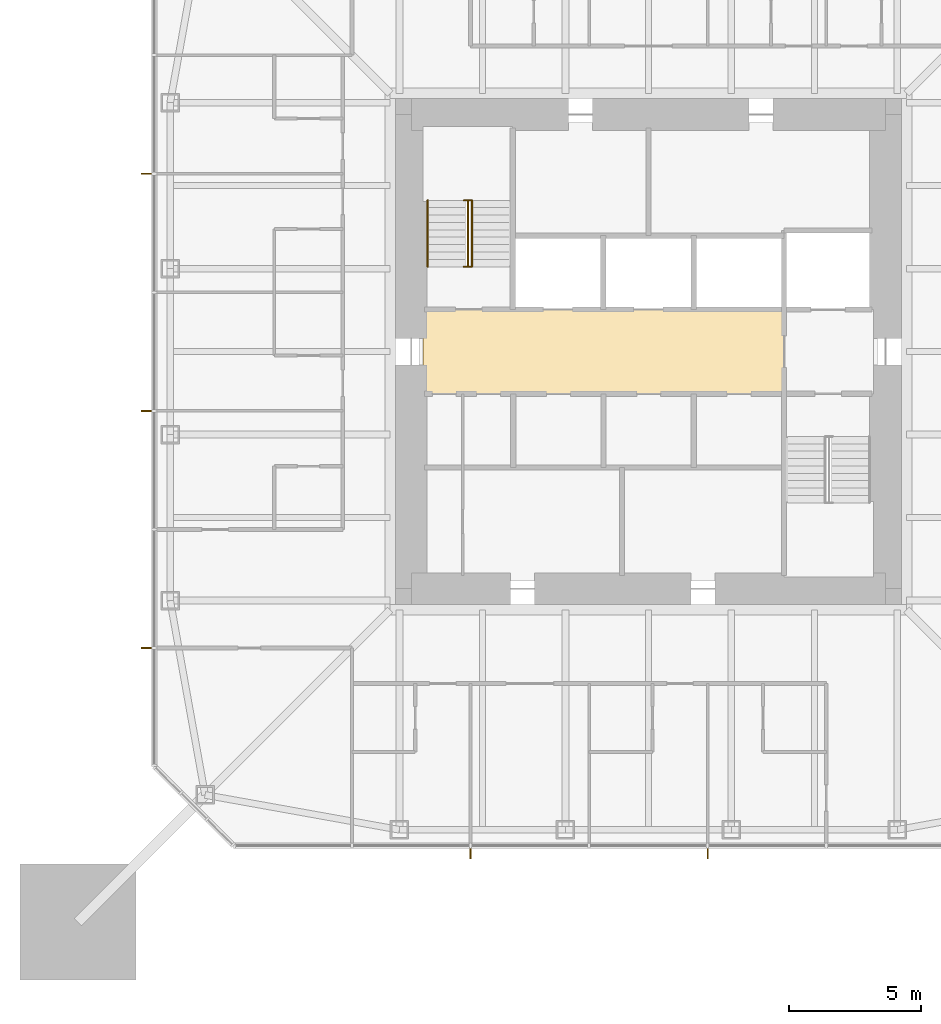
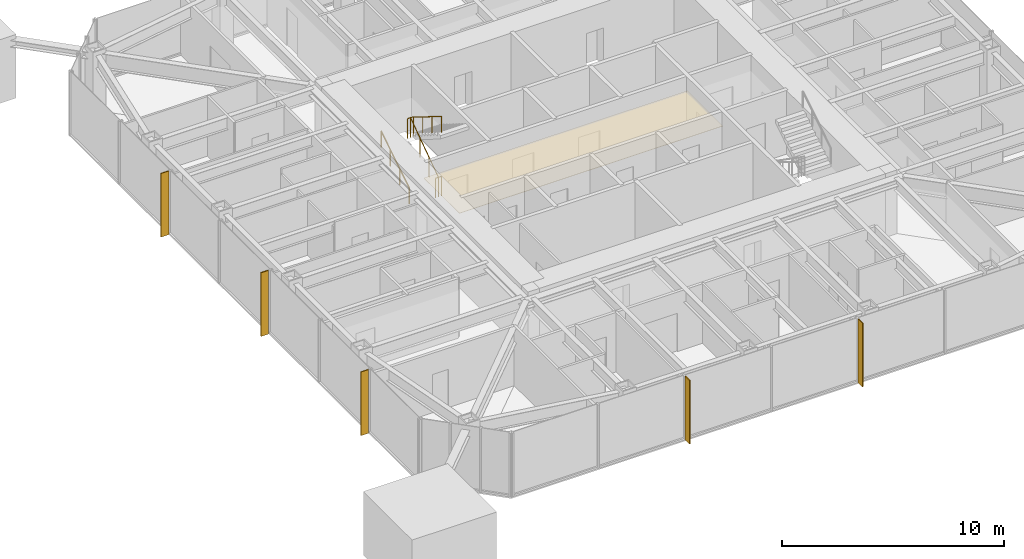
# One storey, part 10 of 12: 5 shading devices, 3 railings, 1 covering.
"""IFC4 building model written with IfcOpenShell, lengths in metres."""

from ifc_helpers import new_model, si_unit, direction, frame, origin, origin_2d, place, context, subcontext, project, spatial, polyline, rectangle, circle, outline, extrude, material, layer, layer_set, constituent, constituent_set, type_object, element, save


model = new_model("IFC4")

# Units and contexts
model_context = context("Model", 3, precision=1e-05, world=origin(), true_north=direction((0.0, 1.0)))
body_context = subcontext(model_context, "Body", "Model", "MODEL_VIEW")
ifc_project = project(units=[si_unit("LENGTHUNIT", "METRE"), si_unit("AREAUNIT", "SQUARE_METRE"), si_unit("VOLUMEUNIT", "CUBIC_METRE"), si_unit("PLANEANGLEUNIT", "RADIAN"), si_unit("MASSUNIT", "GRAM", prefix="KILO")], contexts=[model_context])

# Site, building, storey
site_placement = place(None, origin())
site = spatial("IfcSite", under=ifc_project, at=site_placement, CompositionType="ELEMENT")
building_placement = place(site_placement, origin())
building = spatial("IfcBuilding", under=site, at=building_placement, Name="Iwan Alto Co-Living Towers", CompositionType="ELEMENT")
storey_placement = place(building_placement, frame((0.0, 0.0, 153.0)))
storey = spatial("IfcBuildingStorey", under=building, at=storey_placement, Name="L41", CompositionType="ELEMENT", Elevation=153.0)

# Covering
ifc_material_1 = material(Name="Mineral fibre acoustic tiles on steel grid", Category="steel")
ifc_layer_1 = layer(ifc_material_1, 0.02001953125)
ifc_layer_set_1 = layer_set([ifc_layer_1], Name="ACOUSTIC TILE CEILING 20")
covering_type = type_object("IfcCoveringType", Name="ACOUSTIC TILE CEILING 20", PredefinedType="CEILING", material=ifc_layer_set_1)
covering_placement = place(storey_placement, frame((0.0, 0.0, 2.60009765625)))
element("IfcCovering", 1, at=covering_placement, inside=storey, type_object=covering_type, Name="Ceiling Lift lobby L41", PredefinedType="CEILING", context=body_context, shape_type="SweptSolid", body=[
    extrude(outline(polyline([(-8.550048828125, -1.60009765625), (-8.550048828125, 1.60009765625), (5.14990234375, 1.60009765625), (5.14990234375, -1.60009765625), (-8.550048828125, -1.60009765625)])), origin(), (0.0, 0.0, 1.0), 0.02001953125),
])

# Shading devices
ifc_material_2 = material(Name="Aluminium 6063-T6 bronze anodised", Category="aluminium")
ifc_layer_2 = layer(ifc_material_2, 0.050048828125)
ifc_layer_set_2 = layer_set([ifc_layer_2], Name="BRONZE FIN 50X400")
shading_device_type = type_object("IfcShadingDeviceType", Name="BRONZE FIN 50X400", PredefinedType="USERDEFINED", material=ifc_layer_set_2)
for number, where, z_axis, x_axis, name in (
    (2, (-6.75, -19.050048828125, 0.0), (0.0, 0.0, 1.0), (1.0, 0.0, 0.0), "Bronze fin L41"),
    (3, (2.25, -19.050048828125, 0.0), (0.0, 0.0, 1.0), (1.0, 0.0, 0.0), "Bronze fin L41"),
    (4, (-19.050048828125, 6.75, 0.0), (0.0, 0.0, 1.0), (0.0, -1.0, 0.0), "Bronze fin L41"),
    (5, (-19.050048828125, -2.25, 0.0), (0.0, 0.0, 1.0), (0.0, -1.0, 0.0), "Bronze fin L41"),
    (6, (-19.050048828125, -11.25, 0.0), (0.0, 0.0, 1.0), (0.0, -1.0, 0.0), "Bronze fin L41"),
):
    element("IfcShadingDevice", number, at=place(storey_placement, frame(where, z_axis=z_axis, x_axis=x_axis)), inside=storey, type_object=shading_device_type, Name=name, ObjectType="LOUVER", PredefinedType="USERDEFINED", context=body_context, shape_type="SweptSolid", body=[
        extrude(rectangle(XDim=0.050048828125, YDim=0.39990234375, at=origin_2d()), origin(), (0.0, 0.0, 1.0), 3.5),
    ])

# Railings
ifc_material_3 = material(Name="Steel ASTM A500 Gr C", Category="steel")
ifc_constituent_1 = constituent(ifc_material_3, Name="Rails and posts", Category="Framing")
ifc_material_4 = material(Name="Steel ASTM A36", Category="steel")
ifc_constituent_2 = constituent(ifc_material_4, Name="Bar infill", Category="Infill")
ifc_constituent_set = constituent_set(constituents=[ifc_constituent_1, ifc_constituent_2], Name="STAIR GUARD 1100")
railing_type_1 = type_object("IfcRailingType", Name="STAIR GUARD 1100", PredefinedType="GUARDRAIL", material=ifc_constituent_set)
railing_1_placement = place(storey_placement, frame((-6.85009765625, 3.219970703125, 0.0)))
element("IfcRailing", 7, at=railing_1_placement, inside=storey, type_object=railing_type_1, Name="Stair T1-S1 well guard L41", PredefinedType="GUARDRAIL", context=body_context, shape_type="SweptSolid", body=[
    extrude(circle(Radius=0.02392578125, at=origin_2d()), frame((0.0, 0.0, 1.076171875), z_axis=(0.0, 0.821372036852, 0.570392826987), x_axis=(-1.0, 0.0, 0.0)), (0.0, 0.0, 1.0), 3.068115234375),
    extrude(circle(Radius=0.02392578125, at=origin_2d()), frame((-0.14990234375, 0.0, 1.076171875), z_axis=(1.0, 0.0, 0.0), x_axis=(0.0, 1.0, 0.0)), (0.0, 0.0, 1.0), 0.300048828125),
    extrude(circle(Radius=0.02392578125, at=origin_2d()), frame((-0.14990234375, 2.52001953125, 2.826171875), z_axis=(1.0, 0.0, 0.0), x_axis=(0.0, 1.0, 0.0)), (0.0, 0.0, 1.0), 0.300048828125),
    extrude(circle(Radius=0.02099609375, at=origin_2d()), origin(), (0.0, 0.0, 1.0), 1.052001953125),
    extrude(circle(Radius=0.02099609375, at=origin_2d()), frame((0.0, 0.840087890625, 0.583251953125)), (0.0, 0.0, 1.0), 1.052001953125),
    extrude(circle(Radius=0.02099609375, at=origin_2d()), frame((0.0, 1.679931640625, 1.166748046875)), (0.0, 0.0, 1.0), 1.052001953125),
    extrude(circle(Radius=0.02099609375, at=origin_2d()), frame((0.0, 2.52001953125, 1.75)), (0.0, 0.0, 1.0), 1.052001953125),
    extrude(circle(Radius=0.02099609375, at=origin_2d()), frame((-0.14990234375, 0.0, 0.0)), (0.0, 0.0, 1.0), 1.052001953125),
    extrude(circle(Radius=0.02099609375, at=origin_2d()), frame((0.150146484375, 0.0, 0.0)), (0.0, 0.0, 1.0), 1.052001953125),
    extrude(circle(Radius=0.02099609375, at=origin_2d()), frame((-0.14990234375, 2.52001953125, 1.75)), (0.0, 0.0, 1.0), 1.052001953125),
    extrude(circle(Radius=0.02099609375, at=origin_2d()), frame((0.150146484375, 2.52001953125, 1.75)), (0.0, 0.0, 1.0), 1.052001953125),
])
ifc_material_5 = material(Name="Steel ASTM A500 Gr C", Category="steel")
railing_type_2 = type_object("IfcRailingType", Name="STAIR HANDRAIL 900", PredefinedType="HANDRAIL", material=ifc_material_5)
railing_2_placement = place(storey_placement, frame((-8.3798828125, 3.219970703125, 0.175048828125)))
element("IfcRailing", 8, at=railing_2_placement, inside=storey, type_object=railing_type_2, Name="Stair T1-S1 handrail 1 L41", PredefinedType="HANDRAIL", context=body_context, shape_type="SweptSolid", body=[
    extrude(circle(Radius=0.02392578125, at=origin_2d()), frame((0.0, 0.0, 0.8759765625), z_axis=(0.0, 0.848007534815, 0.529984170421), x_axis=(-1.0, 0.0, 0.0)), (0.0, 0.0, 1.0), 2.9716796875),
    extrude(circle(Radius=0.02099609375, at=origin_2d()), origin(), (0.0, 0.0, 1.0), 0.851806640625),
    extrude(circle(Radius=0.02099609375, at=origin_2d()), frame((0.0, 0.840087890625, 0.52490234375)), (0.0, 0.0, 1.0), 0.851806640625),
    extrude(circle(Radius=0.02099609375, at=origin_2d()), frame((0.0, 1.679931640625, 1.050048828125)), (0.0, 0.0, 1.0), 0.851806640625),
    extrude(circle(Radius=0.02099609375, at=origin_2d()), frame((0.0, 2.52001953125, 1.574951171875)), (0.0, 0.0, 1.0), 0.851806640625),
])
railing_3_placement = place(storey_placement, frame((-6.699951171875, 5.739990234375, 1.925048828125)))
element("IfcRailing", 9, at=railing_3_placement, inside=storey, type_object=railing_type_2, Name="Stair T1-S1 handrail 2 L41", PredefinedType="HANDRAIL", context=body_context, shape_type="SweptSolid", body=[
    extrude(circle(Radius=0.02392578125, at=origin_2d()), frame((0.0, 0.0, 0.8759765625), z_axis=(0.0, -0.848007534815, 0.529984170421), x_axis=(1.0, 0.0, 0.0)), (0.0, 0.0, 1.0), 2.9716796875),
    extrude(circle(Radius=0.02099609375, at=origin_2d()), origin(), (0.0, 0.0, 1.0), 0.851806640625),
    extrude(circle(Radius=0.02099609375, at=origin_2d()), frame((0.0, -0.840087890625, 0.52490234375)), (0.0, 0.0, 1.0), 0.851806640625),
    extrude(circle(Radius=0.02099609375, at=origin_2d()), frame((0.0, -1.679931640625, 1.050048828125)), (0.0, 0.0, 1.0), 0.851806640625),
    extrude(circle(Radius=0.02099609375, at=origin_2d()), frame((0.0, -2.52001953125, 1.574951171875)), (0.0, 0.0, 1.0), 0.851806640625),
])

save(model, "model.ifc")
